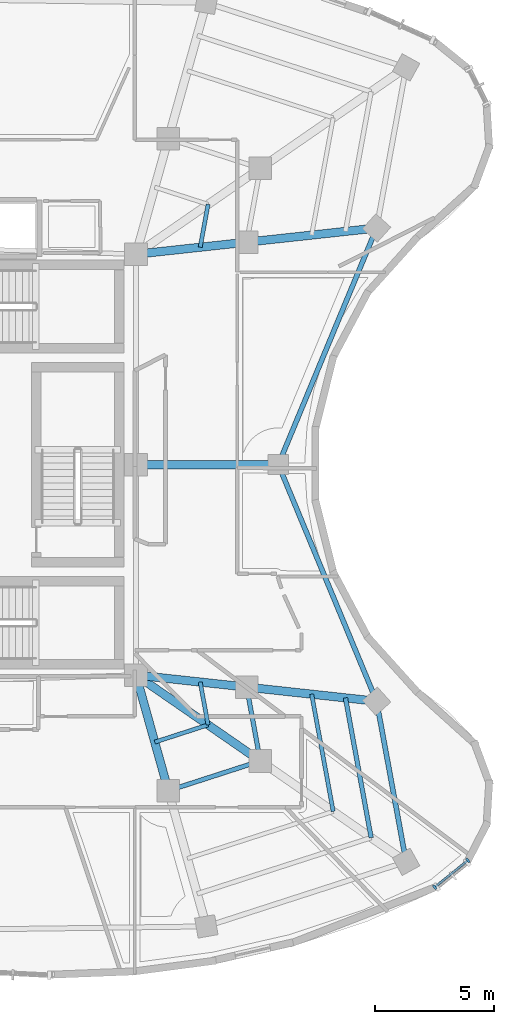
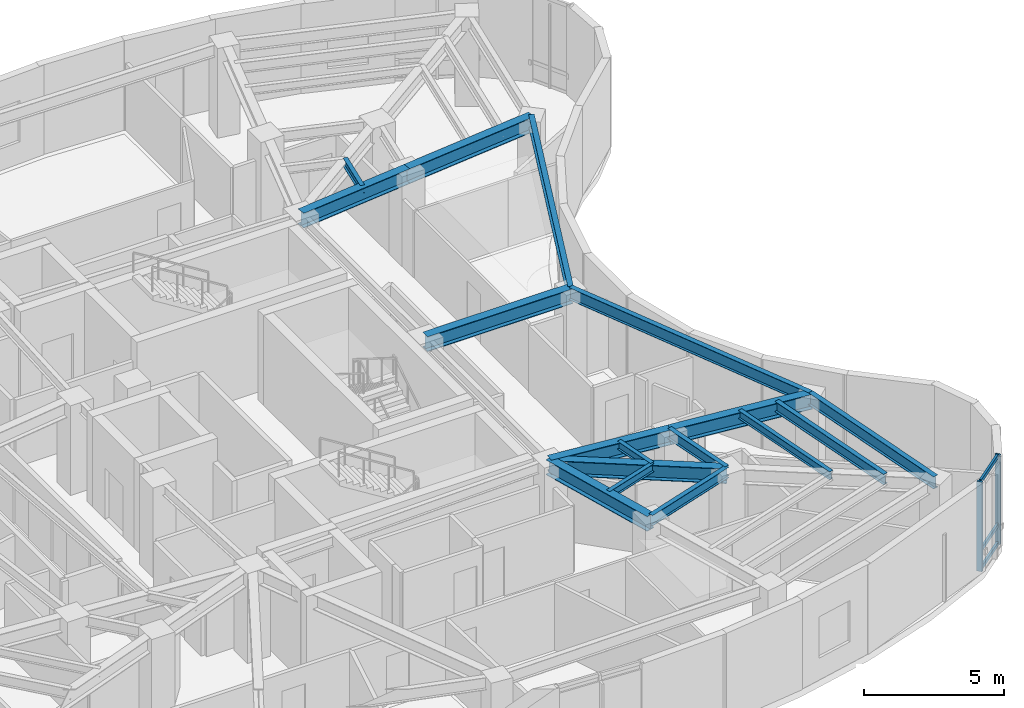
# One storey, part 4 of 14: 17 beams, 5 members, 1 element without a shape of its own.
"""IFC4 building model written with IfcOpenShell, lengths in metres."""

from ifc_helpers import new_model, si_unit, direction, frame, origin, origin_2d, place, context, subcontext, project, spatial, rectangle, i_section, extrude, material, layer, layer_set, material_profile, profile_set, type_object, element, aggregate, save


model = new_model("IFC4")

# Units and contexts
model_context = context("Model", 3, precision=1e-05, world=origin(), true_north=direction((0.0, 1.0)))
body_context = subcontext(model_context, "Body", "Model", "MODEL_VIEW")
ifc_project = project(units=[si_unit("LENGTHUNIT", "METRE"), si_unit("AREAUNIT", "SQUARE_METRE"), si_unit("VOLUMEUNIT", "CUBIC_METRE"), si_unit("PLANEANGLEUNIT", "RADIAN"), si_unit("MASSUNIT", "GRAM", prefix="KILO")], contexts=[model_context])

# Site, building, storey
site_placement = place(None, origin())
site = spatial("IfcSite", under=ifc_project, at=site_placement, CompositionType="ELEMENT")
building_placement = place(site_placement, origin())
building = spatial("IfcBuilding", under=site, at=building_placement, Name="Korentha Bioscience Tower", CompositionType="ELEMENT")
storey_placement = place(building_placement, frame((0.0, 0.0, 252.0)))
storey = spatial("IfcBuildingStorey", under=building, at=storey_placement, Name="L58", CompositionType="ELEMENT", Elevation=252.0)

# Beams
ifc_material_1 = material(Name="Steel S355", Category="steel")
ifc_material_profile_1 = material_profile(ifc_material_1, i_section(OverallWidth=0.18994140625, OverallDepth=0.45703125, WebThickness=0.009033203125, FlangeThickness=0.014404296875, at=origin_2d()), Name="Steel S355")
ifc_profile_set_1 = profile_set([ifc_material_profile_1], Name="Steel S355 (MB-460)")
beam_type_1 = type_object("IfcBeamType", Name="Mid-Ring Tie Girder W460x74", PredefinedType="BEAM", material=ifc_profile_set_1)
beam_1_placement = place(storey_placement, frame((38.9111328125, 13.285888671875, 3.67138671875), z_axis=(0.951528341902, 0.307561074514, 0.0), x_axis=(-0.307561074514, 0.951528341902, 0.0)))
element("IfcBeam", 1, at=beam_1_placement, inside=storey, type_object=beam_type_1, Name="L58 Mid-Ring Tie Girder 12", PredefinedType="BEAM", context=body_context, shape_type="SweptSolid", body=[
    extrude(i_section(OverallWidth=0.18994140625, OverallDepth=0.45703125, WebThickness=0.009033203125, FlangeThickness=0.014404296875, at=origin_2d()), origin(), (0.0, 0.0, 1.0), 4.062744140625),
])
beam_2_placement = place(storey_placement, frame((42.77685546875, 14.535400390625, 3.67138671875), z_axis=(-0.180965758034, 0.983489397207, 0.0), x_axis=(-0.983489397207, -0.180965758034, 0.0)))
element("IfcBeam", 2, at=beam_2_placement, inside=storey, type_object=beam_type_1, Name="L58 Mid-Ring Tie Girder 13", PredefinedType="BEAM", context=body_context, shape_type="SweptSolid", body=[
    extrude(i_section(OverallWidth=0.18994140625, OverallDepth=0.45703125, WebThickness=0.009033203125, FlangeThickness=0.014404296875, at=origin_2d()), origin(), (0.0, 0.0, 1.0), 3.15966796875),
])

# Curtain wall, members
ifc_material_2 = material(Name="Thermally Broken Aluminium Frame", Category="aluminium")
ifc_layer = layer(ifc_material_2, 0.219970703125, Name="Thermally Broken Aluminium Frame")
ifc_layer_set = layer_set([ifc_layer], Name="Thermally Broken Aluminium Frame (CW-T2)")
curtain_wall_type = type_object("IfcCurtainWallType", Name="Solar-Screened Lab Unitised Curtain Wall CW-T2", PredefinedType="USERDEFINED", material=ifc_layer_set)
curtain_wall_placement = place(storey_placement, origin())
curtain_wall = element("IfcCurtainWall", 3, at=curtain_wall_placement, inside=storey, type_object=curtain_wall_type, Name="L58 Curtain Wall 37", ObjectType="UNITISED", PredefinedType="USERDEFINED")
ifc_material_3 = material(Name="Anodised Aluminium 6063-T6", Category="aluminium")
ifc_material_profile_2 = material_profile(ifc_material_3, rectangle(XDim=0.090087890625, YDim=0.199951171875, at=origin_2d()), Name="Anodised Aluminium 6063-T6")
ifc_profile_set_2 = profile_set([ifc_material_profile_2], Name="Anodised Aluminium 6063-T6 (CW-MUL)")
member_type_1 = type_object("IfcMemberType", Name="Mullion RECT 90x200", PredefinedType="MULLION", material=ifc_profile_set_2)
member_1_placement = place(storey_placement, frame((50.1123046875, 9.225341796875, 0.0), z_axis=(0.0, 0.0, 1.0), x_axis=(0.777226359638, 0.629221094596, 0.0)))
member_1 = element("IfcMember", 4, at=member_1_placement, type_object=member_type_1, Name="CW-L58-37 Mullion 1", PredefinedType="MULLION", context=body_context, shape_type="SweptSolid", body=[
    extrude(rectangle(XDim=0.090087890625, YDim=0.199951171875, at=origin_2d()), origin(), (0.0, 0.0, 1.0), 3.89990234375),
])
member_2_placement = place(storey_placement, frame((51.509033203125, 10.356201171875, 0.0), z_axis=(0.0, 0.0, 1.0), x_axis=(0.777226359638, 0.629221094596, 0.0)))
member_2 = element("IfcMember", 5, at=member_2_placement, type_object=member_type_1, Name="CW-L58-37 Mullion 2", PredefinedType="MULLION", context=body_context, shape_type="SweptSolid", body=[
    extrude(rectangle(XDim=0.090087890625, YDim=0.199951171875, at=origin_2d()), origin(), (0.0, 0.0, 1.0), 3.89990234375),
])

# Beams
ifc_material_profile_3 = material_profile(ifc_material_1, i_section(OverallWidth=0.208984375, OverallDepth=0.532958984375, WebThickness=0.01025390625, FlangeThickness=0.015625, at=origin_2d()), Name="Steel S355")
ifc_profile_set_3 = profile_set([ifc_material_profile_3], Name="Steel S355 (SB-530)")
beam_type_2 = type_object("IfcBeamType", Name="Perimeter Ring Spandrel Girder W530x92", PredefinedType="SPANDREL", material=ifc_profile_set_3)
beam_3_placement = place(storey_placement, frame((48.912841796875, 10.292236328125, 3.633544921875), z_axis=(-0.180958869982, 0.98349066461, 0.0), x_axis=(-0.98349066461, -0.180958869982, 0.0)))
element("IfcBeam", 6, at=beam_3_placement, inside=storey, type_object=beam_type_2, Name="L58 Perimeter Spandrel Girder 13", PredefinedType="SPANDREL", context=body_context, shape_type="SweptSolid", body=[
    extrude(i_section(OverallWidth=0.208984375, OverallDepth=0.532958984375, WebThickness=0.01025390625, FlangeThickness=0.015625, at=origin_2d()), origin(), (0.0, 0.0, 1.0), 6.868408203125),
])
for number, where, z_axis, x_axis, name in (
    (7, (47.669921875, 17.04736328125, 3.633544921875), (-0.383518045315, 0.923533382676, 0.0), (-0.923533382676, -0.383518045315, 0.0), "L58 Perimeter Spandrel Girder 14"),
    (8, (43.536865234375, 27.0, 3.633544921875), (0.383518045315, 0.923533382676, 0.0), (-0.923533382676, 0.383518045315, 0.0), "L58 Perimeter Spandrel Girder 15"),
):
    element("IfcBeam", number, at=place(storey_placement, frame(where, z_axis=z_axis, x_axis=x_axis)), inside=storey, type_object=beam_type_2, Name=name, PredefinedType="SPANDREL", context=body_context, shape_type="SweptSolid", body=[
        extrude(i_section(OverallWidth=0.208984375, OverallDepth=0.532958984375, WebThickness=0.01025390625, FlangeThickness=0.015625, at=origin_2d()), origin(), (0.0, 0.0, 1.0), 10.776611328125),
    ])
ifc_material_profile_4 = material_profile(ifc_material_1, i_section(OverallWidth=0.18994140625, OverallDepth=0.45703125, WebThickness=0.009033203125, FlangeThickness=0.014404296875, at=origin_2d()), Name="Steel S355")
ifc_profile_set_4 = profile_set([ifc_material_profile_4], Name="Steel S355 (RB-460)")
beam_type_3 = type_object("IfcBeamType", Name="Radial Laboratory Beam W460x74", PredefinedType="BEAM", material=ifc_profile_set_4)
beam_4_placement = place(storey_placement, frame((47.440185546875, 11.310791015625, 3.67138671875), z_axis=(-0.18095869438, 0.98349069692, 0.0), x_axis=(-0.98349069692, -0.18095869438, 0.0)))
element("IfcBeam", 9, at=beam_4_placement, inside=storey, type_object=beam_type_3, Name="L58 Secondary Floor Beam JSTO-13", PredefinedType="BEAM", context=body_context, shape_type="SweptSolid", body=[
    extrude(i_section(OverallWidth=0.18994140625, OverallDepth=0.45703125, WebThickness=0.009033203125, FlangeThickness=0.014404296875, at=origin_2d()), origin(), (0.0, 0.0, 1.0), 5.97802734375),
])
ifc_material_profile_5 = material_profile(ifc_material_1, i_section(OverallWidth=0.35009765625, OverallDepth=0.64990234375, WebThickness=0.01611328125, FlangeThickness=0.02490234375, at=origin_2d()), Name="Steel S355")
ifc_profile_set_5 = profile_set([ifc_material_profile_5], Name="Steel S355 (RB-650)")
beam_type_4 = type_object("IfcBeamType", Name="Radial Laboratory Girder CVS 650x208", PredefinedType="BEAM", material=ifc_profile_set_5)
beam_5_placement = place(storey_placement, frame((37.550048828125, 18.14990234375, 3.574951171875), z_axis=(0.269475733077, -0.963007180286, 0.0), x_axis=(0.963007180286, 0.269475733077, 0.0)))
element("IfcBeam", 10, at=beam_5_placement, inside=storey, type_object=beam_type_4, Name="L58 Inner Radial Girder 12", PredefinedType="BEAM", context=body_context, shape_type="SweptSolid", body=[
    extrude(i_section(OverallWidth=0.35009765625, OverallDepth=0.64990234375, WebThickness=0.01611328125, FlangeThickness=0.02490234375, at=origin_2d()), origin(), (0.0, 0.0, 1.0), 5.05078125),
])
beam_6_placement = place(storey_placement, frame((37.550048828125, 18.14990234375, 3.574951171875), z_axis=(0.822490816724, -0.568778389537, 0.0), x_axis=(0.568778389537, 0.822490816724, 0.0)))
element("IfcBeam", 11, at=beam_6_placement, inside=storey, type_object=beam_type_4, Name="L58 Inner Radial Girder 13", PredefinedType="BEAM", context=body_context, shape_type="SweptSolid", body=[
    extrude(i_section(OverallWidth=0.35009765625, OverallDepth=0.64990234375, WebThickness=0.01611328125, FlangeThickness=0.02490234375, at=origin_2d()), origin(), (0.0, 0.0, 1.0), 6.354736328125),
])
beam_7_placement = place(storey_placement, frame((37.550048828125, 18.14990234375, 3.574951171875), z_axis=(0.994119231427, -0.108291060139, 0.0), x_axis=(0.108291060139, 0.994119231427, 0.0)))
element("IfcBeam", 12, at=beam_7_placement, inside=storey, type_object=beam_type_4, Name="L58 Inner Radial Girder 14", PredefinedType="BEAM", context=body_context, shape_type="SweptSolid", body=[
    extrude(i_section(OverallWidth=0.35009765625, OverallDepth=0.64990234375, WebThickness=0.01611328125, FlangeThickness=0.02490234375, at=origin_2d()), origin(), (0.0, 0.0, 1.0), 4.6826171875),
])
beam_8_placement = place(storey_placement, frame((42.205078125, 17.642822265625, 3.574951171875), z_axis=(0.994116010051, -0.108320628508, 0.0), x_axis=(0.108320628508, 0.994116010051, 0.0)))
element("IfcBeam", 13, at=beam_8_placement, inside=storey, type_object=beam_type_4, Name="L58 Outer Radial Girder 14", PredefinedType="BEAM", context=body_context, shape_type="SweptSolid", body=[
    extrude(i_section(OverallWidth=0.35009765625, OverallDepth=0.64990234375, WebThickness=0.01611328125, FlangeThickness=0.02490234375, at=origin_2d()), origin(), (0.0, 0.0, 1.0), 5.4970703125),
])
beam_9_placement = place(storey_placement, frame((37.550048828125, 27.0, 3.574951171875), z_axis=(1.0, 0.0, 0.0), x_axis=(0.0, 1.0, 0.0)))
element("IfcBeam", 14, at=beam_9_placement, inside=storey, type_object=beam_type_4, Name="L58 Radial Girder 15", PredefinedType="BEAM", context=body_context, shape_type="SweptSolid", body=[
    extrude(i_section(OverallWidth=0.35009765625, OverallDepth=0.64990234375, WebThickness=0.01611328125, FlangeThickness=0.02490234375, at=origin_2d()), origin(), (0.0, 0.0, 1.0), 5.98681640625),
])
beam_10_placement = place(storey_placement, frame((37.550048828125, 35.85009765625, 3.574951171875), z_axis=(0.994119231427, 0.108291060139, 0.0), x_axis=(-0.108291060139, 0.994119231427, 0.0)))
element("IfcBeam", 15, at=beam_10_placement, inside=storey, type_object=beam_type_4, Name="L58 Inner Radial Girder 16", PredefinedType="BEAM", context=body_context, shape_type="SweptSolid", body=[
    extrude(i_section(OverallWidth=0.35009765625, OverallDepth=0.64990234375, WebThickness=0.01611328125, FlangeThickness=0.02490234375, at=origin_2d()), origin(), (0.0, 0.0, 1.0), 4.6826171875),
])
beam_11_placement = place(storey_placement, frame((42.205078125, 36.357177734375, 3.574951171875), z_axis=(0.994116010051, 0.108320628508, 0.0), x_axis=(-0.108320628508, 0.994116010051, 0.0)))
element("IfcBeam", 16, at=beam_11_placement, inside=storey, type_object=beam_type_4, Name="L58 Outer Radial Girder 16", PredefinedType="BEAM", context=body_context, shape_type="SweptSolid", body=[
    extrude(i_section(OverallWidth=0.35009765625, OverallDepth=0.64990234375, WebThickness=0.01611328125, FlangeThickness=0.02490234375, at=origin_2d()), origin(), (0.0, 0.0, 1.0), 5.4970703125),
])
ifc_material_profile_6 = material_profile(ifc_material_1, i_section(OverallWidth=0.1708984375, OverallDepth=0.35498046875, WebThickness=0.007080078125, FlangeThickness=0.01171875, at=origin_2d()), Name="Steel S355")
ifc_profile_set_6 = profile_set([ifc_material_profile_6], Name="Steel S355 (JB-360)")
beam_type_5 = type_object("IfcBeamType", Name="Secondary Laboratory Joist W360x51", PredefinedType="JOIST", material=ifc_profile_set_6)
beam_12_placement = place(storey_placement, frame((38.33935546875, 15.328857421875, 3.722412109375), z_axis=(0.951514105526, 0.307605115343, 0.0), x_axis=(-0.307605115343, 0.951514105526, 0.0)))
element("IfcBeam", 17, at=beam_12_placement, inside=storey, type_object=beam_type_5, Name="L58 Inner Bay Joist 12", PredefinedType="JOIST", context=body_context, shape_type="SweptSolid", body=[
    extrude(i_section(OverallWidth=0.1708984375, OverallDepth=0.35498046875, WebThickness=0.007080078125, FlangeThickness=0.01171875, at=origin_2d()), origin(), (0.0, 0.0, 1.0), 2.3564453125),
])
beam_13_placement = place(storey_placement, frame((45.844970703125, 12.413818359375, 3.722412109375), z_axis=(-0.180980255152, 0.983486729572, 0.0), x_axis=(-0.983486729572, -0.180980255152, 0.0)))
element("IfcBeam", 18, at=beam_13_placement, inside=storey, type_object=beam_type_5, Name="L58 Secondary Floor Beam JST-13", PredefinedType="JOIST", context=body_context, shape_type="SweptSolid", body=[
    extrude(i_section(OverallWidth=0.1708984375, OverallDepth=0.35498046875, WebThickness=0.007080078125, FlangeThickness=0.01171875, at=origin_2d()), origin(), (0.0, 0.0, 1.0), 5.01416015625),
])
for number, where, z_axis, x_axis, name in (
    (19, (40.58154296875, 16.0537109375, 3.722412109375), (-0.180948766691, 0.983492523527, 0.0), (-0.983492523527, -0.180948766691, 0.0), "L58 Inner Bay Joist 13"),
    (20, (40.25, 36.144287109375, 3.722412109375), (0.180948766691, 0.983492523527, 0.0), (-0.983492523527, 0.180948766691, 0.0), "L58 Inner Bay Joist 16"),
):
    element("IfcBeam", number, at=place(storey_placement, frame(where, z_axis=z_axis, x_axis=x_axis)), inside=storey, type_object=beam_type_5, Name=name, PredefinedType="JOIST", context=body_context, shape_type="SweptSolid", body=[
        extrude(i_section(OverallWidth=0.1708984375, OverallDepth=0.35498046875, WebThickness=0.007080078125, FlangeThickness=0.01171875, at=origin_2d()), origin(), (0.0, 0.0, 1.0), 1.832275390625),
    ])

# Member
ifc_material_profile_7 = material_profile(ifc_material_3, rectangle(XDim=0.090087890625, YDim=0.159912109375, at=origin_2d()), Name="Anodised Aluminium 6063-T6")
ifc_profile_set_7 = profile_set([ifc_material_profile_7], Name="Anodised Aluminium 6063-T6 (CW-TRN)")
member_type_2 = type_object("IfcMemberType", Name="Transom RECT 90x160", PredefinedType="USERDEFINED", material=ifc_profile_set_7)
member_3_placement = place(storey_placement, frame((50.1474609375, 9.253662109375, 0.044921875), z_axis=(0.777171592091, 0.629288738535, 0.0), x_axis=(-0.629288738535, 0.777171592091, 0.0)))
member_3 = element("IfcMember", 21, at=member_3_placement, type_object=member_type_2, Name="CW-L58-37 Bay 1 Transom 1", ObjectType="TRANSOM", PredefinedType="USERDEFINED", context=body_context, shape_type="SweptSolid", body=[
    extrude(rectangle(XDim=0.090087890625, YDim=0.159912109375, at=origin_2d()), origin(), (0.0, 0.0, 1.0), 1.70703125),
])

member_4_placement = place(storey_placement, frame((50.1474609375, 9.253662109375, 0.85009765625), z_axis=(0.777171592091, 0.629288738535, 0.0), x_axis=(-0.629288738535, 0.777171592091, 0.0)))
member_4 = element("IfcMember", 22, at=member_4_placement, type_object=member_type_2, Name="CW-L58-37 Bay 1 Transom 2", ObjectType="TRANSOM", PredefinedType="USERDEFINED", context=body_context, shape_type="SweptSolid", body=[
    extrude(rectangle(XDim=0.090087890625, YDim=0.159912109375, at=origin_2d()), origin(), (0.0, 0.0, 1.0), 1.70703125),
])

member_5_placement = place(storey_placement, frame((50.1474609375, 9.253662109375, 3.85498046875), z_axis=(0.777171592091, 0.629288738535, 0.0), x_axis=(-0.629288738535, 0.777171592091, 0.0)))
member_5 = element("IfcMember", 23, at=member_5_placement, type_object=member_type_2, Name="CW-L58-37 Bay 1 Transom 3", ObjectType="TRANSOM", PredefinedType="USERDEFINED", context=body_context, shape_type="SweptSolid", body=[
    extrude(rectangle(XDim=0.090087890625, YDim=0.159912109375, at=origin_2d()), origin(), (0.0, 0.0, 1.0), 1.70703125),
])

aggregate(curtain_wall, [member_1, member_2, member_3, member_4, member_5])

save(model, "model.ifc")
